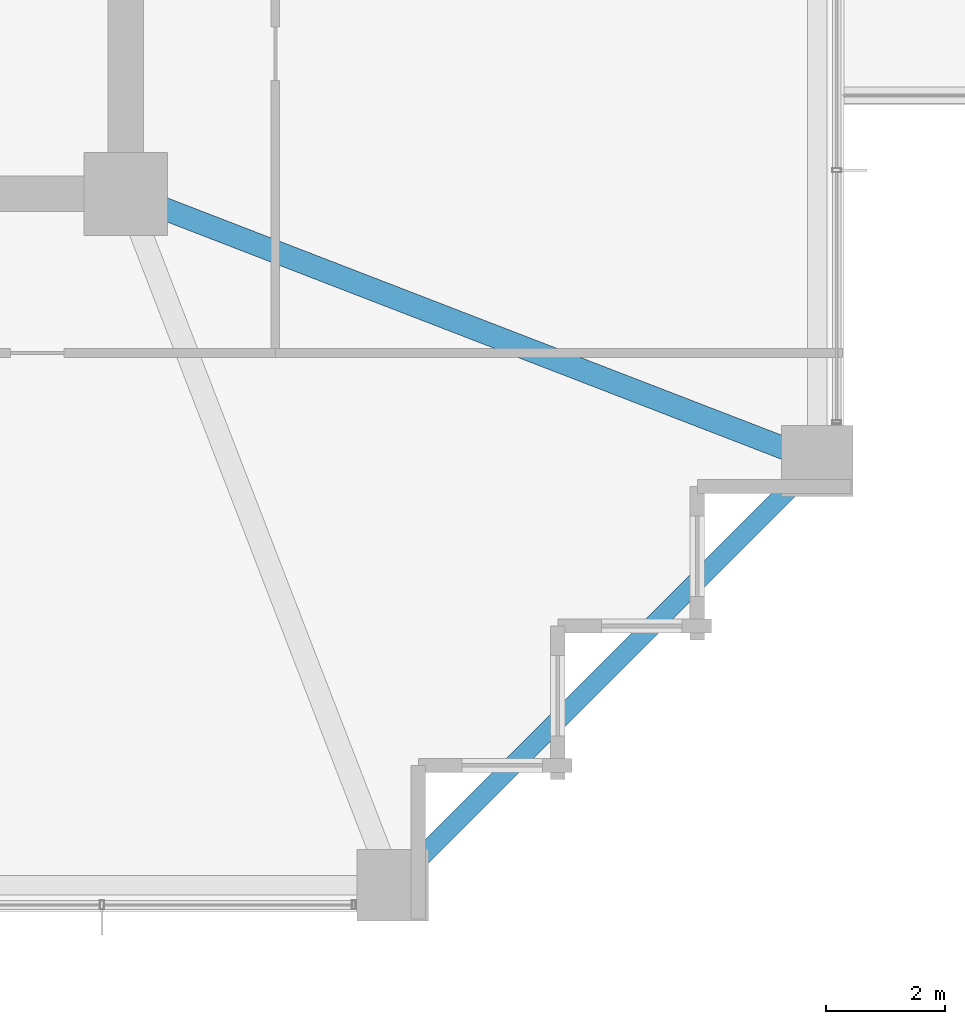
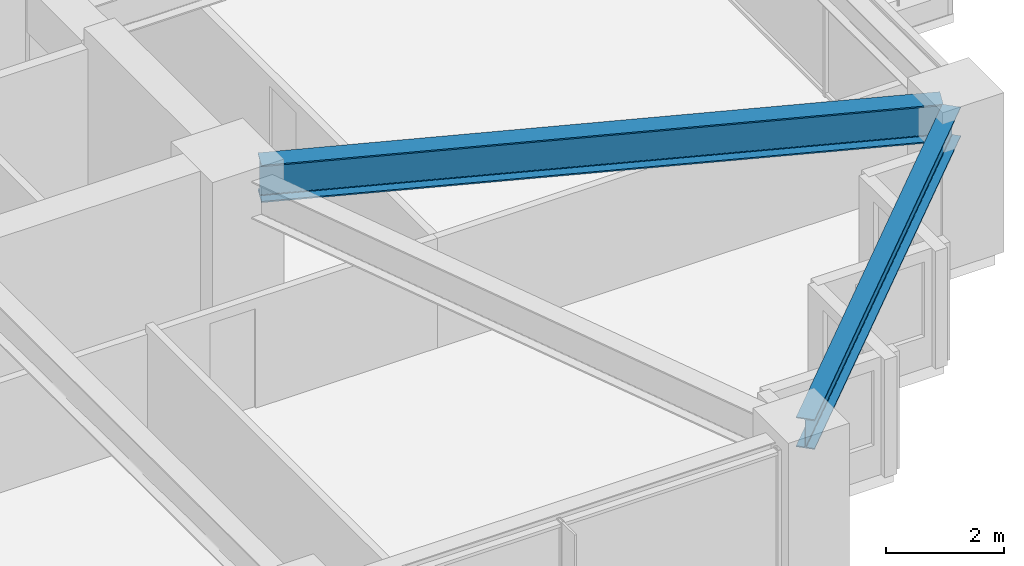
# One storey, part 12 of 36: 2 beams.
"""IFC4 building model written with IfcOpenShell, lengths in metres."""

from ifc_helpers import new_model, si_unit, direction, frame, origin, origin_2d, place, context, subcontext, project, spatial, i_section, extrude, material, material_profile, profile_set, type_object, element, save


model = new_model("IFC4")

# Units and contexts
model_context = context("Model", 3, precision=1e-05, world=origin(), true_north=direction((0.0, 1.0)))
body_context = subcontext(model_context, "Body", "Model", "MODEL_VIEW")
ifc_project = project(units=[si_unit("LENGTHUNIT", "METRE"), si_unit("AREAUNIT", "SQUARE_METRE"), si_unit("VOLUMEUNIT", "CUBIC_METRE"), si_unit("PLANEANGLEUNIT", "RADIAN"), si_unit("MASSUNIT", "GRAM", prefix="KILO")], contexts=[model_context])

# Site, building, storey
site_placement = place(None, origin())
site = spatial("IfcSite", under=ifc_project, at=site_placement, CompositionType="ELEMENT")
building_placement = place(site_placement, origin())
building = spatial("IfcBuilding", under=site, at=building_placement, Name="Kolvaren Belvedere", CompositionType="ELEMENT")
storey_placement = place(building_placement, frame((0.0, 0.0, 46.89990234375)))
storey = spatial("IfcBuildingStorey", under=building, at=storey_placement, Name="L13", CompositionType="ELEMENT", Elevation=46.89990234375)

# Beams
ifc_material_1 = material(Name="Structural steel ASTM A992 Grade 50", Category="steel")
ifc_material_profile_1 = material_profile(ifc_material_1, i_section(OverallWidth=0.381103515625, OverallDepth=0.77294921875, WebThickness=0.0166015625, FlangeThickness=0.027099609375, FilletRadius=0.02392578125, at=origin_2d()), Name="W30X173")
ifc_profile_set_1 = profile_set([ifc_material_profile_1], Name="Structural steel ASTM A992 Grade 50")
beam_type_1 = type_object("IfcBeamType", Name="BM-GIRD-W30X173", PredefinedType="BEAM", material=ifc_profile_set_1)
beam_1_placement = place(storey_placement, frame((10.4130859375, -10.09814453125, 2.673583984375), z_axis=(0.932829382313, -0.360318391835, 0.0), x_axis=(0.360318391835, 0.932829382313, 0.0)))
element("IfcBeam", 1, at=beam_1_placement, inside=storey, type_object=beam_type_1, Name="L13 Corner Core-to-Perimeter Girder CC2-E1", PredefinedType="BEAM", context=body_context, shape_type="SweptSolid", body=[
    extrude(i_section(OverallWidth=0.381103515625, OverallDepth=0.77294921875, WebThickness=0.0166015625, FlangeThickness=0.027099609375, FilletRadius=0.02392578125, at=origin_2d()), origin(), (0.0, 0.0, 1.0), 11.698974609375),
])
ifc_material_2 = material(Name="Structural steel ASTM A992 Grade 50", Category="steel")
ifc_material_profile_2 = material_profile(ifc_material_2, i_section(OverallWidth=0.324951171875, OverallDepth=0.615966796875, WebThickness=0.013916015625, FlangeThickness=0.021484375, FilletRadius=0.02001953125, at=origin_2d()), Name="W24X117")
ifc_profile_set_2 = profile_set([ifc_material_profile_2], Name="Structural steel ASTM A992 Grade 50")
beam_type_2 = type_object("IfcBeamType", Name="BM-SPAN-W24X117", PredefinedType="SPANDREL", material=ifc_profile_set_2)
beam_2_placement = place(storey_placement, frame((14.5908203125, -21.359130859375, 2.752197265625), z_axis=(0.707106781187, 0.707106781187, 0.0), x_axis=(-0.707106781187, 0.707106781187, 0.0)))
element("IfcBeam", 2, at=beam_2_placement, inside=storey, type_object=beam_type_2, Name="L13 Perimeter Spandrel S4-E1", PredefinedType="SPANDREL", context=body_context, shape_type="SweptSolid", body=[
    extrude(i_section(OverallWidth=0.324951171875, OverallDepth=0.615966796875, WebThickness=0.013916015625, FlangeThickness=0.021484375, FilletRadius=0.02001953125, at=origin_2d()), origin(), (0.0, 0.0, 1.0), 9.57177734375),
])

save(model, "model.ifc")
